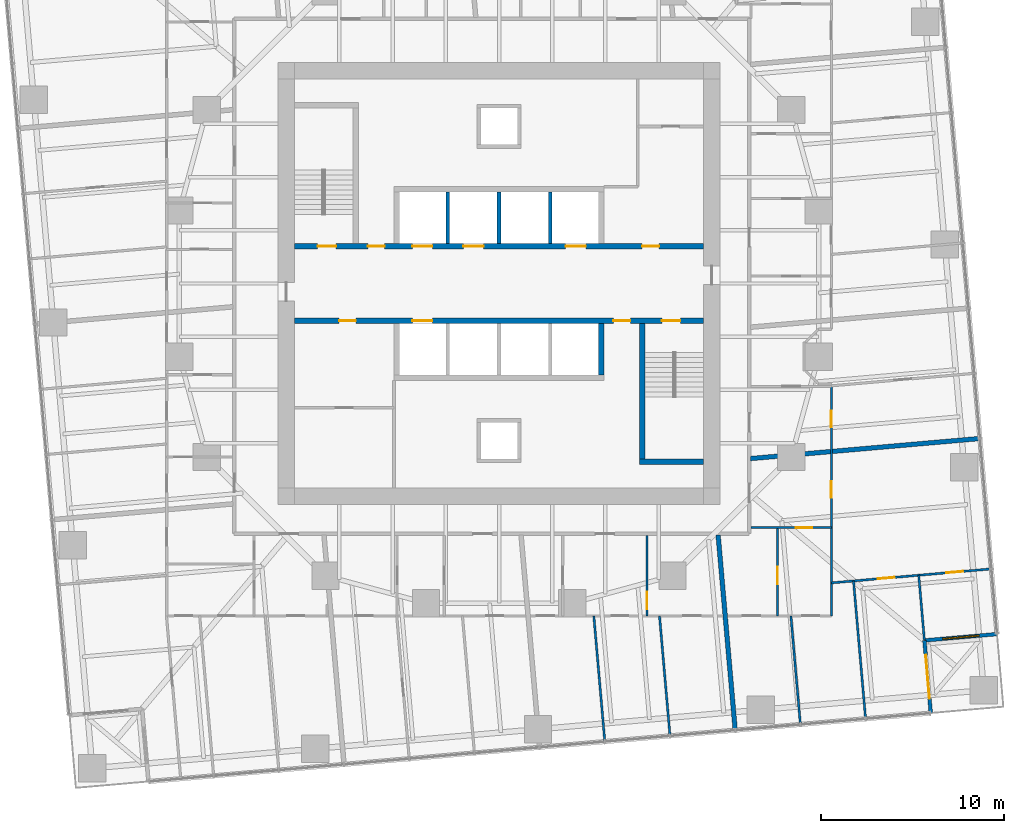
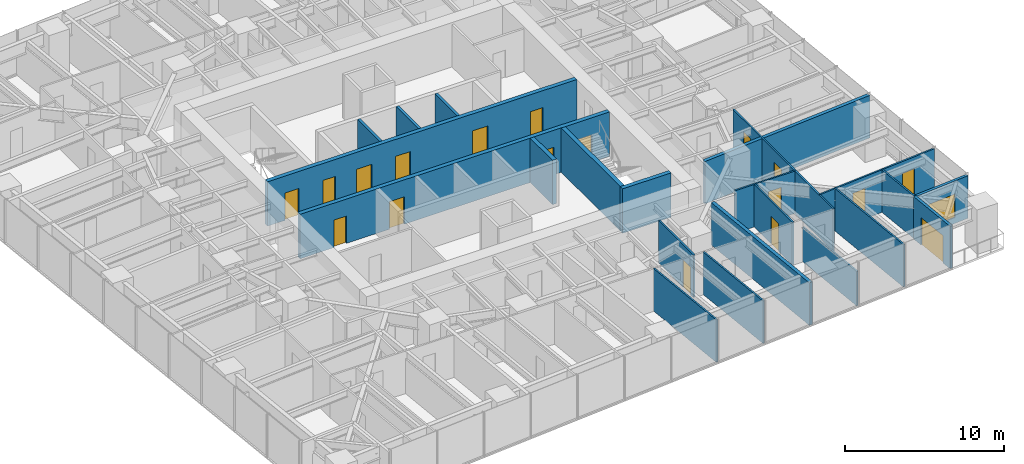
# One storey, part 10 of 14: 22 walls, 18 doors, 1 window, 19 openings.
"""IFC4 building model written with IfcOpenShell, lengths in metres."""

from ifc_helpers import new_model, si_unit, direction, frame, frame_2d, origin, place, context, subcontext, project, spatial, rectangle, extrude, material, layer, layer_set, type_object, element, fill, save


model = new_model("IFC4")

# Units and contexts
model_context = context("Model", 3, precision=1e-05, world=origin(), true_north=direction((0.0, 1.0)))
body_context = subcontext(model_context, "Body", "Model", "MODEL_VIEW")
ifc_project = project(units=[si_unit("LENGTHUNIT", "METRE"), si_unit("AREAUNIT", "SQUARE_METRE"), si_unit("VOLUMEUNIT", "CUBIC_METRE"), si_unit("PLANEANGLEUNIT", "RADIAN"), si_unit("MASSUNIT", "GRAM", prefix="KILO")], contexts=[model_context])

# Site, building, storey
site_placement = place(None, origin())
site = spatial("IfcSite", under=ifc_project, at=site_placement, CompositionType="ELEMENT")
building_placement = place(site_placement, origin())
building = spatial("IfcBuilding", under=site, at=building_placement, Name="Torsade Residences", CompositionType="ELEMENT")
storey_placement = place(building_placement, frame((0.0, 0.0, 67.60009765625)))
storey = spatial("IfcBuildingStorey", under=building, at=storey_placement, Name="L18", CompositionType="ELEMENT", Elevation=67.60009765625)

# Wall, openings, doors
ifc_material_1 = material(Name="Concrete 80 MPa", Category="concrete")
ifc_layer_1 = layer(ifc_material_1, 0.300048828125)
ifc_layer_set_1 = layer_set([ifc_layer_1], Name="Concrete 80 MPa")
wall_type_1 = type_object("IfcWallType", Name="CORE INTERNAL WALL 300", PredefinedType="SHEAR", material=ifc_layer_set_1)
wall_1_placement = place(storey_placement, frame((28.800048828125, 32.050048828125, 0.0), z_axis=(0.0, 0.0, 1.0), x_axis=(1.0, 0.0, 0.0)))
wall_1 = element("IfcWall", 1, at=wall_1_placement, inside=storey, type_object=wall_type_1, Name="Core wall LN L18", PredefinedType="SHEAR", context=body_context, shape_type="SweptSolid", body=[
    extrude(rectangle(XDim=22.39990234375, YDim=0.300048828125, at=frame_2d((11.199951171875, 0.0))), origin(), (0.0, 0.0, 1.0), 3.39990234375),
])
opening_1_placement = place(wall_1_placement, frame((19.0400390625, 0.0, 0.0)))
opening_1 = element("IfcOpeningElement", 2, at=opening_1_placement, cuts=wall_1, Name="Opening D06", PredefinedType="OPENING", context=body_context, shape_type="SweptSolid", body=[
    extrude(rectangle(XDim=0.919921875, YDim=2.10009765625, at=frame_2d((0.4599609375, 1.050048828125))), frame((0.0, 0.159912109375, 0.0), z_axis=(0.0, -1.0, 0.0), x_axis=(1.0, 0.0, 0.0)), (0.0, 0.0, 1.0), 0.320068359375),
])
opening_2_placement = place(wall_1_placement, frame((1.264892578125, 0.0, 0.0)))
opening_2 = element("IfcOpeningElement", 3, at=opening_2_placement, cuts=wall_1, Name="Opening D03", PredefinedType="OPENING", context=body_context, shape_type="SweptSolid", body=[
    extrude(rectangle(XDim=1.02001953125, YDim=2.10009765625, at=frame_2d((0.510009765625, 1.050048828125))), frame((0.0, 0.159912109375, 0.0), z_axis=(0.0, -1.0, 0.0), x_axis=(1.0, 0.0, 0.0)), (0.0, 0.0, 1.0), 0.320068359375),
])
opening_3_placement = place(wall_1_placement, frame((4.014892578125, 0.0, 0.0)))
opening_3 = element("IfcOpeningElement", 4, at=opening_3_placement, cuts=wall_1, Name="Opening D06", PredefinedType="OPENING", context=body_context, shape_type="SweptSolid", body=[
    extrude(rectangle(XDim=0.919921875, YDim=2.10009765625, at=frame_2d((0.4599609375, 1.050048828125))), frame((0.0, 0.159912109375, 0.0), z_axis=(0.0, -1.0, 0.0), x_axis=(1.0, 0.0, 0.0)), (0.0, 0.0, 1.0), 0.320068359375),
])
opening_4_placement = place(wall_1_placement, frame((6.449951171875, 0.0, 0.0)))
opening_4 = element("IfcOpeningElement", 5, at=opening_4_placement, cuts=wall_1, Name="Opening LD", PredefinedType="OPENING", context=body_context, shape_type="SweptSolid", body=[
    extrude(rectangle(XDim=1.10009765625, YDim=2.10009765625, at=frame_2d((0.550048828125, 1.050048828125))), frame((0.0, 0.159912109375, 0.0), z_axis=(0.0, -1.0, 0.0), x_axis=(1.0, 0.0, 0.0)), (0.0, 0.0, 1.0), 0.320068359375),
])
opening_5_placement = place(wall_1_placement, frame((9.25, 0.0, 0.0)))
opening_5 = element("IfcOpeningElement", 6, at=opening_5_placement, cuts=wall_1, Name="Opening LD", PredefinedType="OPENING", context=body_context, shape_type="SweptSolid", body=[
    extrude(rectangle(XDim=1.10009765625, YDim=2.10009765625, at=frame_2d((0.550048828125, 1.050048828125))), frame((0.0, 0.159912109375, 0.0), z_axis=(0.0, -1.0, 0.0), x_axis=(1.0, 0.0, 0.0)), (0.0, 0.0, 1.0), 0.320068359375),
])
opening_6_placement = place(wall_1_placement, frame((14.85009765625, 0.0, 0.0)))
opening_6 = element("IfcOpeningElement", 7, at=opening_6_placement, cuts=wall_1, Name="Opening LD", PredefinedType="OPENING", context=body_context, shape_type="SweptSolid", body=[
    extrude(rectangle(XDim=1.10009765625, YDim=2.10009765625, at=frame_2d((0.550048828125, 1.050048828125))), frame((0.0, 0.159912109375, 0.0), z_axis=(0.0, -1.0, 0.0), x_axis=(1.0, 0.0, 0.0)), (0.0, 0.0, 1.0), 0.320068359375),
])
ifc_material_2 = material(Name="Steel-framed fire door", Category="steel")
door_type_1 = type_object("IfcDoorType", Name="FIRE DOOR 1020", OperationType="NOTDEFINED", PredefinedType="DOOR", material=ifc_material_2)
door_1_placement = place(opening_2_placement, origin())
door_1 = element("IfcDoor", 8, at=door_1_placement, inside=storey, type_object=door_type_1, Name="Exit door to fire-isolated stair ST1 L18", OperationType="SINGLE_SWING_RIGHT", OverallHeight=2.10009765625, OverallWidth=1.02001953125, PredefinedType="DOOR", context=body_context, shape_type="SweptSolid", body=[
    extrude(rectangle(XDim=1.02001953125, YDim=2.10009765625, at=frame_2d((0.510009765625, 1.050048828125))), frame((0.0, 0.02490234375, 0.0), z_axis=(0.0, -1.0, 0.0), x_axis=(1.0, 0.0, 0.0)), (0.0, 0.0, 1.0), 0.050048828125),
])
fill(opening_2, door_1)
ifc_material_3 = material(Name="Steel-framed fire door", Category="steel")
door_type_2 = type_object("IfcDoorType", Name="FIRE DOOR 920", OperationType="NOTDEFINED", PredefinedType="DOOR", material=ifc_material_3)
door_2_placement = place(opening_1_placement, origin())
door_2 = element("IfcDoor", 9, at=door_2_placement, inside=storey, type_object=door_type_2, Name="Door Lift lobby to Refuse room", OperationType="SINGLE_SWING_LEFT", OverallHeight=2.10009765625, OverallWidth=0.919921875, PredefinedType="DOOR", context=body_context, shape_type="SweptSolid", body=[
    extrude(rectangle(XDim=0.919921875, YDim=2.10009765625, at=frame_2d((0.4599609375, 1.050048828125))), frame((0.0, 0.02490234375, 0.0), z_axis=(0.0, -1.0, 0.0), x_axis=(1.0, 0.0, 0.0)), (0.0, 0.0, 1.0), 0.050048828125),
])
fill(opening_1, door_2)
door_3_placement = place(opening_3_placement, origin())
door_3 = element("IfcDoor", 10, at=door_3_placement, inside=storey, type_object=door_type_2, Name="Door Lift lobby to Electrical riser room", OperationType="SINGLE_SWING_LEFT", OverallHeight=2.10009765625, OverallWidth=0.919921875, PredefinedType="DOOR", context=body_context, shape_type="SweptSolid", body=[
    extrude(rectangle(XDim=0.919921875, YDim=2.10009765625, at=frame_2d((0.4599609375, 1.050048828125))), frame((0.0, 0.02490234375, 0.0), z_axis=(0.0, -1.0, 0.0), x_axis=(1.0, 0.0, 0.0)), (0.0, 0.0, 1.0), 0.050048828125),
])
fill(opening_3, door_3)
ifc_material_4 = material(Name="Stainless steel lift landing door", Category="steel")
door_type_3 = type_object("IfcDoorType", Name="LIFT LANDING DOOR 1100", OperationType="SLIDING_TO_LEFT", PredefinedType="DOOR", material=ifc_material_4)
door_4_placement = place(opening_4_placement, origin())
door_4 = element("IfcDoor", 11, at=door_4_placement, inside=storey, type_object=door_type_3, Name="Lift LA1 landing door L18", OperationType="SLIDING_TO_LEFT", OverallHeight=2.10009765625, OverallWidth=1.10009765625, PredefinedType="DOOR", context=body_context, shape_type="SweptSolid", body=[
    extrude(rectangle(XDim=1.10009765625, YDim=2.10009765625, at=frame_2d((0.550048828125, 1.050048828125))), frame((0.0, 0.02490234375, 0.0), z_axis=(0.0, -1.0, 0.0), x_axis=(1.0, 0.0, 0.0)), (0.0, 0.0, 1.0), 0.050048828125),
])
fill(opening_4, door_4)
door_5_placement = place(opening_5_placement, origin())
door_5 = element("IfcDoor", 12, at=door_5_placement, inside=storey, type_object=door_type_3, Name="Lift LA2 landing door L18", OperationType="SLIDING_TO_LEFT", OverallHeight=2.10009765625, OverallWidth=1.10009765625, PredefinedType="DOOR", context=body_context, shape_type="SweptSolid", body=[
    extrude(rectangle(XDim=1.10009765625, YDim=2.10009765625, at=frame_2d((0.550048828125, 1.050048828125))), frame((0.0, 0.02490234375, 0.0), z_axis=(0.0, -1.0, 0.0), x_axis=(1.0, 0.0, 0.0)), (0.0, 0.0, 1.0), 0.050048828125),
])
fill(opening_5, door_5)
door_6_placement = place(opening_6_placement, origin())
door_6 = element("IfcDoor", 13, at=door_6_placement, inside=storey, type_object=door_type_3, Name="Lift FL1 landing door L18", OperationType="SLIDING_TO_LEFT", OverallHeight=2.10009765625, OverallWidth=1.10009765625, PredefinedType="DOOR", context=body_context, shape_type="SweptSolid", body=[
    extrude(rectangle(XDim=1.10009765625, YDim=2.10009765625, at=frame_2d((0.550048828125, 1.050048828125))), frame((0.0, 0.02490234375, 0.0), z_axis=(0.0, -1.0, 0.0), x_axis=(1.0, 0.0, 0.0)), (0.0, 0.0, 1.0), 0.050048828125),
])
fill(opening_6, door_6)

wall_2_placement = place(storey_placement, frame((51.199951171875, 27.949951171875, 0.0), z_axis=(0.0, 0.0, 1.0), x_axis=(-1.0, 0.0, 0.0)))
wall_2 = element("IfcWall", 14, at=wall_2_placement, inside=storey, type_object=wall_type_1, Name="Core wall LS L18", PredefinedType="SHEAR", context=body_context, shape_type="SweptSolid", body=[
    extrude(rectangle(XDim=22.39990234375, YDim=0.300048828125, at=frame_2d((11.199951171875, 0.0))), origin(), (0.0, 0.0, 1.0), 3.39990234375),
])
opening_7_placement = place(wall_2_placement, frame((19.0400390625, 0.0, 0.0)))
opening_7 = element("IfcOpeningElement", 15, at=opening_7_placement, cuts=wall_2, Name="Opening D06", PredefinedType="OPENING", context=body_context, shape_type="SweptSolid", body=[
    extrude(rectangle(XDim=0.919921875, YDim=2.10009765625, at=frame_2d((0.4599609375, 1.050048828125))), frame((0.0, 0.159912109375, 0.0), z_axis=(0.0, -1.0, 0.0), x_axis=(1.0, 0.0, 0.0)), (0.0, 0.0, 1.0), 0.320068359375),
])
opening_8_placement = place(wall_2_placement, frame((1.264892578125, 0.0, 0.0)))
opening_8 = element("IfcOpeningElement", 16, at=opening_8_placement, cuts=wall_2, Name="Opening D03", PredefinedType="OPENING", context=body_context, shape_type="SweptSolid", body=[
    extrude(rectangle(XDim=1.02001953125, YDim=2.10009765625, at=frame_2d((0.510009765625, 1.050048828125))), frame((0.0, 0.159912109375, 0.0), z_axis=(0.0, -1.0, 0.0), x_axis=(1.0, 0.0, 0.0)), (0.0, 0.0, 1.0), 0.320068359375),
])
opening_9_placement = place(wall_2_placement, frame((4.014892578125, 0.0, 0.0)))
opening_9 = element("IfcOpeningElement", 17, at=opening_9_placement, cuts=wall_2, Name="Opening D06", PredefinedType="OPENING", context=body_context, shape_type="SweptSolid", body=[
    extrude(rectangle(XDim=0.919921875, YDim=2.10009765625, at=frame_2d((0.4599609375, 1.050048828125))), frame((0.0, 0.159912109375, 0.0), z_axis=(0.0, -1.0, 0.0), x_axis=(1.0, 0.0, 0.0)), (0.0, 0.0, 1.0), 0.320068359375),
])
opening_10_placement = place(wall_2_placement, frame((14.85009765625, 0.0, 0.0)))
opening_10 = element("IfcOpeningElement", 18, at=opening_10_placement, cuts=wall_2, Name="Opening LD", PredefinedType="OPENING", context=body_context, shape_type="SweptSolid", body=[
    extrude(rectangle(XDim=1.10009765625, YDim=2.10009765625, at=frame_2d((0.550048828125, 1.050048828125))), frame((0.0, 0.159912109375, 0.0), z_axis=(0.0, -1.0, 0.0), x_axis=(1.0, 0.0, 0.0)), (0.0, 0.0, 1.0), 0.320068359375),
])
door_7_placement = place(opening_8_placement, origin())
door_7 = element("IfcDoor", 19, at=door_7_placement, inside=storey, type_object=door_type_1, Name="Exit door to fire-isolated stair ST2 L18", OperationType="SINGLE_SWING_RIGHT", OverallHeight=2.10009765625, OverallWidth=1.02001953125, PredefinedType="DOOR", context=body_context, shape_type="SweptSolid", body=[
    extrude(rectangle(XDim=1.02001953125, YDim=2.10009765625, at=frame_2d((0.510009765625, 1.050048828125))), frame((0.0, 0.02490234375, 0.0), z_axis=(0.0, -1.0, 0.0), x_axis=(1.0, 0.0, 0.0)), (0.0, 0.0, 1.0), 0.050048828125),
])
fill(opening_8, door_7)
door_8_placement = place(opening_7_placement, origin())
door_8 = element("IfcDoor", 20, at=door_8_placement, inside=storey, type_object=door_type_2, Name="Door Lift lobby to Cleaner store", OperationType="SINGLE_SWING_LEFT", OverallHeight=2.10009765625, OverallWidth=0.919921875, PredefinedType="DOOR", context=body_context, shape_type="SweptSolid", body=[
    extrude(rectangle(XDim=0.919921875, YDim=2.10009765625, at=frame_2d((0.4599609375, 1.050048828125))), frame((0.0, 0.02490234375, 0.0), z_axis=(0.0, -1.0, 0.0), x_axis=(1.0, 0.0, 0.0)), (0.0, 0.0, 1.0), 0.050048828125),
])
fill(opening_7, door_8)
door_9_placement = place(opening_9_placement, origin())
door_9 = element("IfcDoor", 21, at=door_9_placement, inside=storey, type_object=door_type_2, Name="Door Lift lobby to Communications riser room", OperationType="SINGLE_SWING_RIGHT", OverallHeight=2.10009765625, OverallWidth=0.919921875, PredefinedType="DOOR", context=body_context, shape_type="SweptSolid", body=[
    extrude(rectangle(XDim=0.919921875, YDim=2.10009765625, at=frame_2d((0.4599609375, 1.050048828125))), frame((0.0, 0.02490234375, 0.0), z_axis=(0.0, -1.0, 0.0), x_axis=(1.0, 0.0, 0.0)), (0.0, 0.0, 1.0), 0.050048828125),
])
fill(opening_9, door_9)
door_10_placement = place(opening_10_placement, origin())
door_10 = element("IfcDoor", 22, at=door_10_placement, inside=storey, type_object=door_type_3, Name="Lift FL2 landing door L18", OperationType="SLIDING_TO_LEFT", OverallHeight=2.10009765625, OverallWidth=1.10009765625, PredefinedType="DOOR", context=body_context, shape_type="SweptSolid", body=[
    extrude(rectangle(XDim=1.10009765625, YDim=2.10009765625, at=frame_2d((0.550048828125, 1.050048828125))), frame((0.0, 0.02490234375, 0.0), z_axis=(0.0, -1.0, 0.0), x_axis=(1.0, 0.0, 0.0)), (0.0, 0.0, 1.0), 0.050048828125),
])
fill(opening_10, door_10)

# Walls
wall_3_placement = place(storey_placement, frame((45.60009765625, 27.800048828125, 0.0), z_axis=(0.0, 0.0, 1.0), x_axis=(0.0, -1.0, 0.0)))
element("IfcWall", 23, at=wall_3_placement, inside=storey, type_object=wall_type_1, Name="Core wall DS0 L18", PredefinedType="SHEAR", context=body_context, shape_type="SweptSolid", body=[
    extrude(rectangle(XDim=2.800048828125, YDim=0.300048828125, at=frame_2d((1.39990234375, 0.0))), origin(), (0.0, 0.0, 1.0), 3.39990234375),
])
wall_4_placement = place(storey_placement, frame((47.85009765625, 27.800048828125, 0.0), z_axis=(0.0, 0.0, 1.0), x_axis=(0.0, -1.0, 0.0)))
element("IfcWall", 24, at=wall_4_placement, inside=storey, type_object=wall_type_1, Name="Core wall ST2W L18", PredefinedType="SHEAR", context=body_context, shape_type="SweptSolid", body=[
    extrude(rectangle(XDim=7.699951171875, YDim=0.300048828125, at=frame_2d((3.85009765625, 0.0))), origin(), (0.0, 0.0, 1.0), 3.39990234375),
])
wall_5_placement = place(storey_placement, frame((51.199951171875, 20.25, 0.0), z_axis=(0.0, 0.0, 1.0), x_axis=(-1.0, 0.0, 0.0)))
element("IfcWall", 25, at=wall_5_placement, inside=storey, type_object=wall_type_1, Name="Core wall ST2S L18", PredefinedType="SHEAR", context=body_context, shape_type="SweptSolid", body=[
    extrude(rectangle(XDim=3.5, YDim=0.300048828125, at=frame_2d((1.75, 0.0))), origin(), (0.0, 0.0, 1.0), 3.39990234375),
])
ifc_material_5 = material(Name="Reinforced blockwork", Category="masonry")
ifc_layer_2 = layer(ifc_material_5, 0.199951171875)
ifc_layer_set_2 = layer_set([ifc_layer_2], Name="Reinforced blockwork")
wall_type_2 = type_object("IfcWallType", Name="LIFT SHAFT DIVIDING WALL 200", PredefinedType="SOLIDWALL", material=ifc_layer_set_2)
for number, where, z_axis, x_axis, name in (
    (26, (37.199951171875, 32.199951171875, 0.0), (0.0, 0.0, 1.0), (0.0, 1.0, 0.0), "Core wall DN1 L18"),
    (27, (40.0, 32.199951171875, 0.0), (0.0, 0.0, 1.0), (0.0, 1.0, 0.0), "Core wall DN2 L18"),
    (28, (42.800048828125, 32.199951171875, 0.0), (0.0, 0.0, 1.0), (0.0, 1.0, 0.0), "Core wall DN3 L18"),
):
    element("IfcWall", number, at=place(storey_placement, frame(where, z_axis=z_axis, x_axis=x_axis)), inside=storey, type_object=wall_type_2, Name=name, PredefinedType="SOLIDWALL", context=body_context, shape_type="SweptSolid", body=[
        extrude(rectangle(XDim=2.800048828125, YDim=0.199951171875, at=frame_2d((1.39990234375, 0.0))), origin(), (0.0, 0.0, 1.0), 3.39990234375),
    ])

# Wall, opening, door
ifc_material_6 = material(Name="Plasterboard on steel stud", Category="steel")
ifc_layer_3 = layer(ifc_material_6, 0.1201171875)
ifc_layer_set_3 = layer_set([ifc_layer_3], Name="Plasterboard on steel stud")
wall_type_3 = type_object("IfcWallType", Name="PARTITION 120", PredefinedType="PARTITIONING", material=ifc_layer_set_3)
wall_6_placement = place(storey_placement, frame((48.101318359375, 16.199951171875, 0.0), z_axis=(0.0, 0.0, 1.0), x_axis=(0.0, -1.0, 0.0)))
wall_6 = element("IfcWall", 29, at=wall_6_placement, inside=storey, type_object=wall_type_3, Name="Partition L18", PredefinedType="PARTITIONING", context=body_context, shape_type="SweptSolid", body=[
    extrude(rectangle(XDim=4.39990234375, YDim=0.1201171875, at=frame_2d((2.199951171875, 0.0))), origin(), (0.0, 0.0, 1.0), 3.25),
])
opening_11_placement = place(wall_6_placement, frame((3.070068359375, 0.0, 0.0)))
opening_11 = element("IfcOpeningElement", 30, at=opening_11_placement, cuts=wall_6, Name="Opening D05", PredefinedType="OPENING", context=body_context, shape_type="SweptSolid", body=[
    extrude(rectangle(XDim=0.9599609375, YDim=2.10009765625, at=frame_2d((0.47998046875, 1.050048828125))), frame((0.0, 0.070068359375, 0.0), z_axis=(0.0, -1.0, 0.0), x_axis=(1.0, 0.0, 0.0)), (0.0, 0.0, 1.0), 0.14013671875),
])
ifc_material_7 = material(Name="Hollow-core timber door in a steel cavity frame", Category="steel")
door_type_4 = type_object("IfcDoorType", Name="BATHROOM CAVITY SLIDING DOOR 960", OperationType="SLIDING_TO_LEFT", PredefinedType="DOOR", material=ifc_material_7)
door_11_placement = place(opening_11_placement, origin())
door_11 = element("IfcDoor", 31, at=door_11_placement, inside=storey, type_object=door_type_4, Name="Door Kitchen and dining to Bathroom", OperationType="SLIDING_TO_LEFT", OverallHeight=2.10009765625, OverallWidth=0.9599609375, PredefinedType="DOOR", context=body_context, shape_type="SweptSolid", body=[
    extrude(rectangle(XDim=0.9599609375, YDim=2.10009765625, at=frame_2d((0.47998046875, 1.050048828125))), frame((0.0, 0.02490234375, 0.0), z_axis=(0.0, -1.0, 0.0), x_axis=(1.0, 0.0, 0.0)), (0.0, 0.0, 1.0), 0.050048828125),
])
fill(opening_11, door_11)

# Walls
wall_7_placement = place(storey_placement, frame((45.189208984375, 11.800048828125, 0.0), z_axis=(0.0, 0.0, 1.0), x_axis=(0.087190290923, -0.996191674914, 0.0)))
element("IfcWall", 32, at=wall_7_placement, inside=storey, type_object=wall_type_3, Name="Partition L18", PredefinedType="PARTITIONING", context=body_context, shape_type="SweptSolid", body=[
    extrude(rectangle(XDim=6.876953125, YDim=0.1201171875, at=frame_2d((3.4384765625, 0.0))), origin(), (0.0, 0.0, 1.0), 3.25),
])
wall_8_placement = place(storey_placement, frame((48.786376953125, 11.800048828125, 0.0), z_axis=(0.0, 0.0, 1.0), x_axis=(0.087151261897, -0.996195090105, 0.0)))
element("IfcWall", 33, at=wall_8_placement, inside=storey, type_object=wall_type_3, Name="Partition L18", PredefinedType="PARTITIONING", context=body_context, shape_type="SweptSolid", body=[
    extrude(rectangle(XDim=6.5634765625, YDim=0.1201171875, at=frame_2d((3.28173828125, 0.0))), origin(), (0.0, 0.0, 1.0), 3.25),
])

# Wall, opening, door
wall_9_placement = place(storey_placement, frame((58.199951171875, 16.634033203125, 0.0), z_axis=(0.0, 0.0, 1.0), x_axis=(-1.0, 0.0, 0.0)))
wall_9 = element("IfcWall", 34, at=wall_9_placement, inside=storey, type_object=wall_type_3, Name="Partition L18", PredefinedType="PARTITIONING", context=body_context, shape_type="SweptSolid", body=[
    extrude(rectangle(XDim=4.39990234375, YDim=0.1201171875, at=frame_2d((2.199951171875, 0.0))), origin(), (0.0, 0.0, 1.0), 3.25),
])
opening_12_placement = place(wall_9_placement, frame((1.040771484375, 0.0, 0.0)))
opening_12 = element("IfcOpeningElement", 35, at=opening_12_placement, cuts=wall_9, Name="Opening D02", PredefinedType="OPENING", context=body_context, shape_type="SweptSolid", body=[
    extrude(rectangle(XDim=0.919921875, YDim=2.340087890625, at=frame_2d((0.4599609375, 1.169921875))), frame((0.0, 0.070068359375, 0.0), z_axis=(0.0, -1.0, 0.0), x_axis=(1.0, 0.0, 0.0)), (0.0, 0.0, 1.0), 0.14013671875),
])
ifc_material_8 = material(Name="Hollow-core timber door", Category="wood")
door_type_5 = type_object("IfcDoorType", Name="INTERNAL DOOR 920x2340", OperationType="NOTDEFINED", PredefinedType="DOOR", material=ifc_material_8)
door_12_placement = place(opening_12_placement, origin())
door_12 = element("IfcDoor", 36, at=door_12_placement, inside=storey, type_object=door_type_5, Name="Door Kitchen and dining to Dressing room", OperationType="SINGLE_SWING_RIGHT", OverallHeight=2.340087890625, OverallWidth=0.919921875, PredefinedType="DOOR", context=body_context, shape_type="SweptSolid", body=[
    extrude(rectangle(XDim=0.919921875, YDim=2.340087890625, at=frame_2d((0.4599609375, 1.169921875))), frame((0.0, 0.02490234375, 0.0), z_axis=(0.0, -1.0, 0.0), x_axis=(1.0, 0.0, 0.0)), (0.0, 0.0, 1.0), 0.050048828125),
])
fill(opening_12, door_12)

# Wall, openings, doors
wall_10_placement = place(storey_placement, frame((58.199951171875, 24.365966796875, 0.0), z_axis=(0.0, 0.0, 1.0), x_axis=(0.0, -1.0, 0.0)))
wall_10 = element("IfcWall", 37, at=wall_10_placement, inside=storey, type_object=wall_type_3, Name="Partition L18", PredefinedType="PARTITIONING", context=body_context, shape_type="SweptSolid", body=[
    extrude(rectangle(XDim=12.56591796875, YDim=0.1201171875, at=frame_2d((6.282958984375, 0.0))), origin(), (0.0, 0.0, 1.0), 3.25),
])
opening_13_placement = place(wall_10_placement, frame((1.322265625, 0.0, 0.0)))
opening_13 = element("IfcOpeningElement", 38, at=opening_13_placement, cuts=wall_10, Name="Opening D02", PredefinedType="OPENING", context=body_context, shape_type="SweptSolid", body=[
    extrude(rectangle(XDim=0.919921875, YDim=2.340087890625, at=frame_2d((0.4599609375, 1.169921875))), frame((0.0, 0.070068359375, 0.0), z_axis=(0.0, -1.0, 0.0), x_axis=(1.0, 0.0, 0.0)), (0.0, 0.0, 1.0), 0.14013671875),
])
opening_14_placement = place(wall_10_placement, frame((5.1884765625, 0.0, 0.0)))
opening_14 = element("IfcOpeningElement", 39, at=opening_14_placement, cuts=wall_10, Name="Opening D02", PredefinedType="OPENING", context=body_context, shape_type="SweptSolid", body=[
    extrude(rectangle(XDim=0.919921875, YDim=2.340087890625, at=frame_2d((0.4599609375, 1.169921875))), frame((0.0, 0.070068359375, 0.0), z_axis=(0.0, -1.0, 0.0), x_axis=(1.0, 0.0, 0.0)), (0.0, 0.0, 1.0), 0.14013671875),
])
door_13_placement = place(opening_13_placement, origin())
door_13 = element("IfcDoor", 40, at=door_13_placement, inside=storey, type_object=door_type_5, Name="Door Kitchen and dining to Living room", OperationType="SINGLE_SWING_RIGHT", OverallHeight=2.340087890625, OverallWidth=0.919921875, PredefinedType="DOOR", context=body_context, shape_type="SweptSolid", body=[
    extrude(rectangle(XDim=0.919921875, YDim=2.340087890625, at=frame_2d((0.4599609375, 1.169921875))), frame((0.0, 0.02490234375, 0.0), z_axis=(0.0, -1.0, 0.0), x_axis=(1.0, 0.0, 0.0)), (0.0, 0.0, 1.0), 0.050048828125),
])
fill(opening_13, door_13)
door_14_placement = place(opening_14_placement, origin())
door_14 = element("IfcDoor", 41, at=door_14_placement, inside=storey, type_object=door_type_5, Name="Door Kitchen and dining to Living room", OperationType="SINGLE_SWING_LEFT", OverallHeight=2.340087890625, OverallWidth=0.919921875, PredefinedType="DOOR", context=body_context, shape_type="SweptSolid", body=[
    extrude(rectangle(XDim=0.919921875, YDim=2.340087890625, at=frame_2d((0.4599609375, 1.169921875))), frame((0.0, 0.02490234375, 0.0), z_axis=(0.0, -1.0, 0.0), x_axis=(1.0, 0.0, 0.0)), (0.0, 0.0, 1.0), 0.050048828125),
])
fill(opening_14, door_14)

# Wall, opening, door
wall_11_placement = place(storey_placement, frame((55.248779296875, 16.593994140625, 0.0), z_axis=(0.0, 0.0, 1.0), x_axis=(0.0, -1.0, 0.0)))
wall_11 = element("IfcWall", 42, at=wall_11_placement, inside=storey, type_object=wall_type_3, Name="Partition L18", PredefinedType="PARTITIONING", context=body_context, shape_type="SweptSolid", body=[
    extrude(rectangle(XDim=4.7939453125, YDim=0.1201171875, at=frame_2d((2.39697265625, 0.0))), origin(), (0.0, 0.0, 1.0), 3.25),
])
opening_15_placement = place(wall_11_placement, frame((2.114013671875, 0.0, 0.0)))
opening_15 = element("IfcOpeningElement", 43, at=opening_15_placement, cuts=wall_11, Name="Opening D05", PredefinedType="OPENING", context=body_context, shape_type="SweptSolid", body=[
    extrude(rectangle(XDim=0.9599609375, YDim=2.10009765625, at=frame_2d((0.47998046875, 1.050048828125))), frame((0.0, 0.070068359375, 0.0), z_axis=(0.0, -1.0, 0.0), x_axis=(1.0, 0.0, 0.0)), (0.0, 0.0, 1.0), 0.14013671875),
])
door_15_placement = place(opening_15_placement, origin())
door_15 = element("IfcDoor", 44, at=door_15_placement, inside=storey, type_object=door_type_4, Name="Door Dressing room to Bathroom", OperationType="SLIDING_TO_LEFT", OverallHeight=2.10009765625, OverallWidth=0.9599609375, PredefinedType="DOOR", context=body_context, shape_type="SweptSolid", body=[
    extrude(rectangle(XDim=0.9599609375, YDim=2.10009765625, at=frame_2d((0.47998046875, 1.050048828125))), frame((0.0, 0.02490234375, 0.0), z_axis=(0.0, -1.0, 0.0), x_axis=(1.0, 0.0, 0.0)), (0.0, 0.0, 1.0), 0.050048828125),
])
fill(opening_15, door_15)

# Wall, openings, doors
wall_12_placement = place(storey_placement, frame((66.924560546875, 14.37060546875, 0.0), z_axis=(0.0, 0.0, 1.0), x_axis=(-0.996193475426, -0.087169716747, 0.0)))
wall_12 = element("IfcWall", 45, at=wall_12_placement, inside=storey, type_object=wall_type_3, Name="Partition L18", PredefinedType="PARTITIONING", context=body_context, shape_type="SweptSolid", body=[
    extrude(rectangle(XDim=8.758056640625, YDim=0.1201171875, at=frame_2d((4.37890625, 0.0))), origin(), (0.0, 0.0, 1.0), 3.25),
])
opening_16_placement = place(wall_12_placement, frame((1.52490234375, 0.0, 0.0)))
opening_16 = element("IfcOpeningElement", 46, at=opening_16_placement, cuts=wall_12, Name="Opening D02", PredefinedType="OPENING", context=body_context, shape_type="SweptSolid", body=[
    extrude(rectangle(XDim=0.919921875, YDim=2.340087890625, at=frame_2d((0.4599609375, 1.169921875))), frame((0.0, 0.070068359375, 0.0), z_axis=(0.0, -1.0, 0.0), x_axis=(1.0, 0.0, 0.0)), (0.0, 0.0, 1.0), 0.14013671875),
])
opening_17_placement = place(wall_12_placement, frame((5.291748046875, 0.0, 0.0)))
opening_17 = element("IfcOpeningElement", 47, at=opening_17_placement, cuts=wall_12, Name="Opening D02", PredefinedType="OPENING", context=body_context, shape_type="SweptSolid", body=[
    extrude(rectangle(XDim=0.919921875, YDim=2.340087890625, at=frame_2d((0.4599609375, 1.169921875))), frame((0.0, 0.070068359375, 0.0), z_axis=(0.0, -1.0, 0.0), x_axis=(1.0, 0.0, 0.0)), (0.0, 0.0, 1.0), 0.14013671875),
])
door_16_placement = place(opening_16_placement, origin())
door_16 = element("IfcDoor", 48, at=door_16_placement, inside=storey, type_object=door_type_5, Name="Door Living room to Family room", OperationType="SINGLE_SWING_RIGHT", OverallHeight=2.340087890625, OverallWidth=0.919921875, PredefinedType="DOOR", context=body_context, shape_type="SweptSolid", body=[
    extrude(rectangle(XDim=0.919921875, YDim=2.340087890625, at=frame_2d((0.4599609375, 1.169921875))), frame((0.0, 0.02490234375, 0.0), z_axis=(0.0, -1.0, 0.0), x_axis=(1.0, 0.0, 0.0)), (0.0, 0.0, 1.0), 0.050048828125),
])
fill(opening_16, door_16)
door_17_placement = place(opening_17_placement, origin())
door_17 = element("IfcDoor", 49, at=door_17_placement, inside=storey, type_object=door_type_5, Name="Door Living room to Bedroom 1", OperationType="SINGLE_SWING_LEFT", OverallHeight=2.340087890625, OverallWidth=0.919921875, PredefinedType="DOOR", context=body_context, shape_type="SweptSolid", body=[
    extrude(rectangle(XDim=0.919921875, YDim=2.340087890625, at=frame_2d((0.4599609375, 1.169921875))), frame((0.0, 0.02490234375, 0.0), z_axis=(0.0, -1.0, 0.0), x_axis=(1.0, 0.0, 0.0)), (0.0, 0.0, 1.0), 0.050048828125),
])
fill(opening_17, door_17)

# Walls
wall_13_placement = place(storey_placement, frame((60.0673828125, 6.198486328125, 0.0), z_axis=(0.0, 0.0, 1.0), x_axis=(-0.087158920508, 0.996194420069, 0.0)))
element("IfcWall", 50, at=wall_13_placement, inside=storey, type_object=wall_type_3, Name="Partition L18", PredefinedType="PARTITIONING", context=body_context, shape_type="SweptSolid", body=[
    extrude(rectangle(XDim=7.54345703125, YDim=0.1201171875, at=frame_2d((3.771728515625, 0.0))), origin(), (0.0, 0.0, 1.0), 3.25),
])
wall_14_placement = place(storey_placement, frame((62.979736328125, 14.025390625, 0.0), z_axis=(0.0, 0.0, 1.0), x_axis=(0.087161821847, -0.996194166221, 0.0)))
element("IfcWall", 51, at=wall_14_placement, inside=storey, type_object=wall_type_3, Name="Partition L18", PredefinedType="PARTITIONING", context=body_context, shape_type="SweptSolid", body=[
    extrude(rectangle(XDim=3.543212890625, YDim=0.1201171875, at=frame_2d((1.771484375, 0.0))), origin(), (0.0, 0.0, 1.0), 3.25),
])
wall_15_placement = place(storey_placement, frame((56.497802734375, 5.88623046875, 0.0), z_axis=(0.0, 0.0, 1.0), x_axis=(-0.087146033323, 0.996195547509, 0.0)))
element("IfcWall", 52, at=wall_15_placement, inside=storey, type_object=wall_type_3, Name="Partition L18", PredefinedType="PARTITIONING", context=body_context, shape_type="SweptSolid", body=[
    extrude(rectangle(XDim=5.9365234375, YDim=0.1201171875, at=frame_2d((2.96826171875, 0.0))), origin(), (0.0, 0.0, 1.0), 2.637939453125),
])
ifc_material_9 = material(Name="Masonry-lined stud party wall", Category="masonry")
ifc_layer_4 = layer(ifc_material_9, 0.25)
ifc_layer_set_4 = layer_set([ifc_layer_4], Name="Masonry-lined stud party wall")
wall_type_4 = type_object("IfcWallType", Name="PARTY WALL 250", PredefinedType="PARTITIONING", material=ifc_layer_set_4)
wall_16_placement = place(storey_placement, frame((52.931640625, 5.533935546875, 0.0), z_axis=(0.0, 0.0, 1.0), x_axis=(-0.08716441141, 0.996193939644, 0.0)))
element("IfcWall", 53, at=wall_16_placement, inside=storey, type_object=wall_type_4, Name="Party wall L18", PredefinedType="PARTITIONING", context=body_context, shape_type="SweptSolid", body=[
    extrude(rectangle(XDim=10.73583984375, YDim=0.25, at=frame_2d((5.367919921875, 0.0))), origin(), (0.0, 0.0, 1.0), 3.25),
])
wall_17_placement = place(storey_placement, frame((66.33984375, 21.513427734375, 0.0), z_axis=(0.0, 0.0, 1.0), x_axis=(-0.996194851608, -0.087153988028, 0.0)))
element("IfcWall", 54, at=wall_17_placement, inside=storey, type_object=wall_type_4, Name="Party wall L18", PredefinedType="PARTITIONING", context=body_context, shape_type="SweptSolid", body=[
    extrude(rectangle(XDim=12.616943359375, YDim=0.25, at=frame_2d((6.30859375, 0.0))), origin(), (0.0, 0.0, 1.0), 3.25),
])

# Wall, opening, door
ifc_material_10 = material(Name="Stone-faced precast concrete 40 MPa panel", Category="masonry")
ifc_layer_5 = layer(ifc_material_10, 0.199951171875)
ifc_layer_set_5 = layer_set([ifc_layer_5], Name="Stone-faced precast concrete 40 MPa panel")
wall_type_5 = type_object("IfcWallType", Name="TERRACE WALL 200", PredefinedType="SOLIDWALL", material=ifc_layer_set_5)
wall_18_placement = place(storey_placement, frame((63.640625, 6.470947265625, 0.0), z_axis=(0.0, 0.0, 1.0), x_axis=(-0.087161650072, 0.99619418125, 0.0)))
wall_18 = element("IfcWall", 55, at=wall_18_placement, inside=storey, type_object=wall_type_5, Name="Terrace wall L18 2", PredefinedType="SOLIDWALL", context=body_context, shape_type="SweptSolid", body=[
    extrude(rectangle(XDim=3.999755859375, YDim=0.199951171875, at=frame_2d((2.0, 0.0))), origin(), (0.0, 0.0, 1.0), 3.25),
])
opening_18_placement = place(wall_18_placement, frame((0.800048828125, 0.0, 0.0)))
opening_18 = element("IfcOpeningElement", 56, at=opening_18_placement, cuts=wall_18, Name="Opening D10A", PredefinedType="OPENING", context=body_context, shape_type="SweptSolid", body=[
    extrude(rectangle(XDim=2.39990234375, YDim=2.10009765625, at=frame_2d((1.199951171875, 1.050048828125))), frame((0.0, 0.10986328125, 0.0), z_axis=(0.0, -1.0, 0.0), x_axis=(1.0, 0.0, 0.0)), (0.0, 0.0, 1.0), 0.219970703125),
])
ifc_material_11 = material(Name="Aluminium-framed glass door", Category="aluminium")
door_type_6 = type_object("IfcDoorType", Name="TERRACE SLIDING DOOR 2400x2100", OperationType="SLIDING_TO_LEFT", PredefinedType="DOOR", material=ifc_material_11)
door_18_placement = place(opening_18_placement, origin())
door_18 = element("IfcDoor", 57, at=door_18_placement, inside=storey, type_object=door_type_6, Name="Terrace door L18 2", OperationType="SLIDING_TO_LEFT", OverallHeight=2.10009765625, OverallWidth=2.39990234375, PredefinedType="DOOR", context=body_context, shape_type="SweptSolid", body=[
    extrude(rectangle(XDim=2.39990234375, YDim=2.10009765625, at=frame_2d((1.199951171875, 1.050048828125))), frame((0.0, 0.02490234375, 0.0), z_axis=(0.0, -1.0, 0.0), x_axis=(1.0, 0.0, 0.0)), (0.0, 0.0, 1.0), 0.050048828125),
])
fill(opening_18, door_18)

# Wall, opening, window
wall_19_placement = place(storey_placement, frame((63.2919921875, 10.45556640625, 0.0), z_axis=(0.0, 0.0, 1.0), x_axis=(0.99619464492, 0.087156350505, 0.0)))
wall_19 = element("IfcWall", 58, at=wall_19_placement, inside=storey, type_object=wall_type_5, Name="Terrace wall L18 3", PredefinedType="SOLIDWALL", context=body_context, shape_type="SweptSolid", body=[
    extrude(rectangle(XDim=4.0, YDim=0.199951171875, at=frame_2d((2.0, 0.0))), origin(), (0.0, 0.0, 1.0), 3.25),
])
opening_19_placement = place(wall_19_placement, frame((1.0, 0.0, 0.449951171875)))
opening_19 = element("IfcOpeningElement", 59, at=opening_19_placement, cuts=wall_19, Name="Opening W1B", PredefinedType="OPENING", context=body_context, shape_type="SweptSolid", body=[
    extrude(rectangle(XDim=2.0, YDim=1.800048828125, at=frame_2d((1.0, 0.89990234375))), frame((0.0, 0.10986328125, 0.0), z_axis=(0.0, -1.0, 0.0), x_axis=(1.0, 0.0, 0.0)), (0.0, 0.0, 1.0), 0.219970703125),
])
ifc_material_12 = material(Name="Aluminium-framed glass window", Category="aluminium")
window_type = type_object("IfcWindowType", Name="TERRACE WINDOW 2000x1800", PartitioningType="SINGLE_PANEL", PredefinedType="WINDOW", material=ifc_material_12)
window_placement = place(opening_19_placement, origin())
window = element("IfcWindow", 60, at=window_placement, inside=storey, type_object=window_type, Name="Terrace window L18 3", OverallHeight=1.800048828125, OverallWidth=2.0, PartitioningType="SINGLE_PANEL", PredefinedType="WINDOW", context=body_context, shape_type="SweptSolid", body=[
    extrude(rectangle(XDim=2.0, YDim=1.800048828125, at=frame_2d((1.0, 0.89990234375))), frame((0.0, 0.030029296875, 0.0), z_axis=(0.0, -1.0, 0.0), x_axis=(1.0, 0.0, 0.0)), (0.0, 0.0, 1.0), 0.06005859375),
])
fill(opening_19, window)

save(model, "model.ifc")
